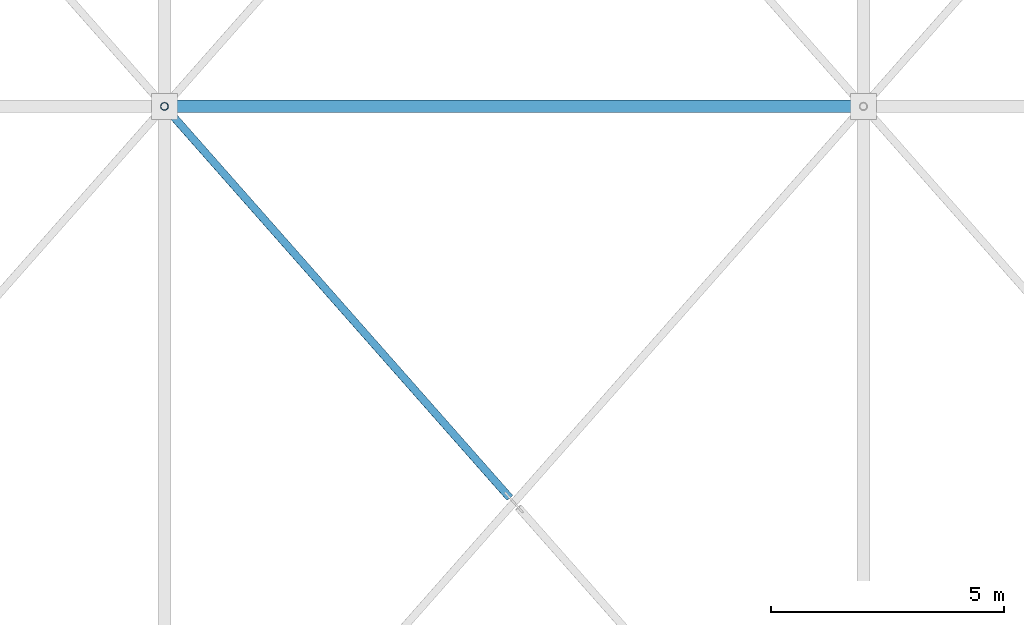
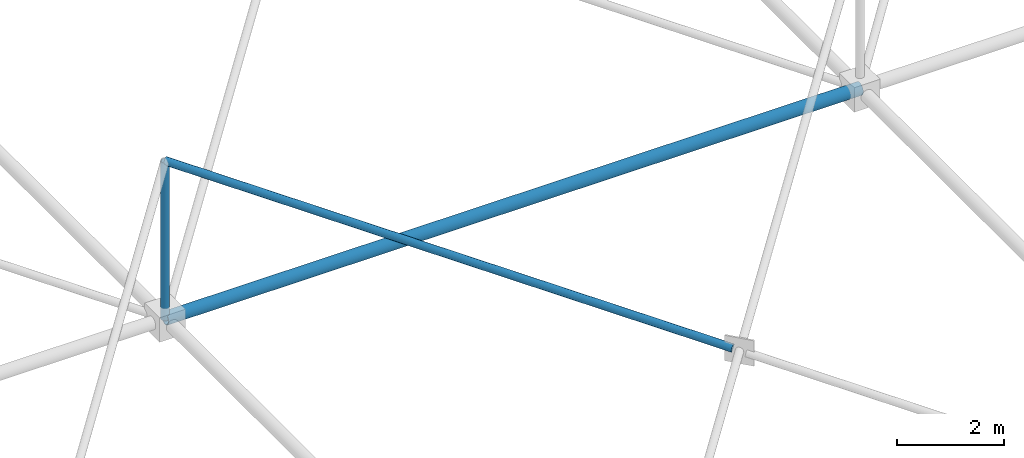
# One storey, part 97 of 224: 3 members.
"""IFC4 building model written with IfcOpenShell, lengths in metres."""

from ifc_helpers import new_model, si_unit, direction, frame, origin, origin_2d, place, context, subcontext, project, spatial, hollow_circle, extrude, material, material_profile, profile_set, type_object, element, save


model = new_model("IFC4")

# Units and contexts
model_context = context("Model", 3, precision=1e-05, world=origin(), true_north=direction((0.0, 1.0)))
body_context = subcontext(model_context, "Body", "Model", "MODEL_VIEW")
ifc_project = project(units=[si_unit("LENGTHUNIT", "METRE"), si_unit("AREAUNIT", "SQUARE_METRE"), si_unit("VOLUMEUNIT", "CUBIC_METRE"), si_unit("PLANEANGLEUNIT", "RADIAN"), si_unit("MASSUNIT", "GRAM", prefix="KILO")], contexts=[model_context])

# Site, building, storey
site_placement = place(None, origin())
site = spatial("IfcSite", under=ifc_project, at=site_placement, CompositionType="ELEMENT")
building_placement = place(site_placement, origin())
building = spatial("IfcBuilding", under=site, at=building_placement, Name="Qamarlyn Nura Convention Centre", CompositionType="ELEMENT")
storey_placement = place(building_placement, frame((0.0, 0.0, 10.800048828125)))
storey = spatial("IfcBuildingStorey", under=building, at=storey_placement, Name="L02", CompositionType="ELEMENT", Elevation=10.800048828125)

# Members
ifc_material = material(Name="Pearl-white PVDF steel ASTM A500 Grade C", Category="steel")
ifc_material_profile_1 = material_profile(ifc_material, hollow_circle(Radius=0.136474609375, WallThickness=0.012451171875, at=origin_2d()), Name="CHS273X12.5")
ifc_profile_set_1 = profile_set([ifc_material_profile_1], Name="Pearl-white PVDF steel ASTM A500 Grade C")
member_type_1 = type_object("IfcMemberType", Name="SF-BC-MAIN", PredefinedType="CHORD", material=ifc_profile_set_1)
member_1_placement = place(storey_placement, frame((75.0, 69.0, 0.800048828125), z_axis=(1.0, 0.0, 0.0), x_axis=(0.0, 1.0, 0.0)))
element("IfcMember", 1, at=member_1_placement, inside=storey, type_object=member_type_1, Name="ROOF TRUSS space frame bottom chord X7-5", PredefinedType="CHORD", context=body_context, shape_type="SweptSolid", body=[
    extrude(hollow_circle(Radius=0.136474609375, WallThickness=0.012451171875, at=origin_2d()), origin(), (0.0, 0.0, 1.0), 15.0),
])
ifc_material_profile_2 = material_profile(ifc_material, hollow_circle(Radius=0.084228515625, WallThickness=0.008056640625, at=origin_2d()), Name="CHS168.3X8")
ifc_profile_set_2 = profile_set([ifc_material_profile_2], Name="Pearl-white PVDF steel ASTM A500 Grade C")
member_type_2 = type_object("IfcMemberType", Name="SF-WEB-STD", PredefinedType="BRACE", material=ifc_profile_set_2)
member_2_placement = place(storey_placement, frame((82.408447265625, 60.603759765625, 2.6220703125), z_axis=(-0.653436826791, 0.740561737029, 0.156807611557), x_axis=(-0.749837855365, -0.661621637087, 0.0)))
element("IfcMember", 2, at=member_2_placement, inside=storey, type_object=member_type_2, Name="ROOF TRUSS space frame split diagonal B2 7-4", PredefinedType="BRACE", context=body_context, shape_type="SweptSolid", body=[
    extrude(hollow_circle(Radius=0.084228515625, WallThickness=0.008056640625, at=origin_2d()), origin(), (0.0, 0.0, 1.0), 11.337646484375),
])
member_3_placement = place(storey_placement, frame((75.0, 69.0, 0.800048828125), z_axis=(0.0, 0.0, 1.0), x_axis=(1.0, 0.0, 0.0)))
element("IfcMember", 3, at=member_3_placement, inside=storey, type_object=member_type_2, Name="ROOF TRUSS space frame vertical 7-5", PredefinedType="BRACE", context=body_context, shape_type="SweptSolid", body=[
    extrude(hollow_circle(Radius=0.084228515625, WallThickness=0.008056640625, at=origin_2d()), origin(), (0.0, 0.0, 1.0), 3.599853515625),
])

save(model, "model.ifc")
